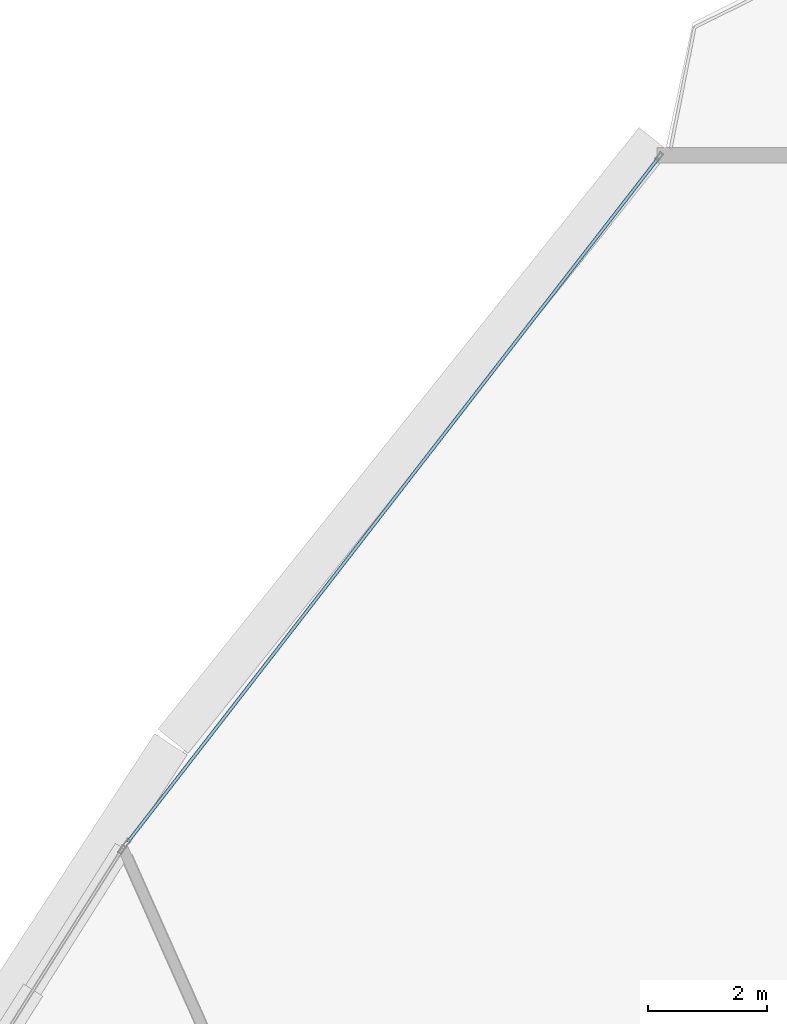
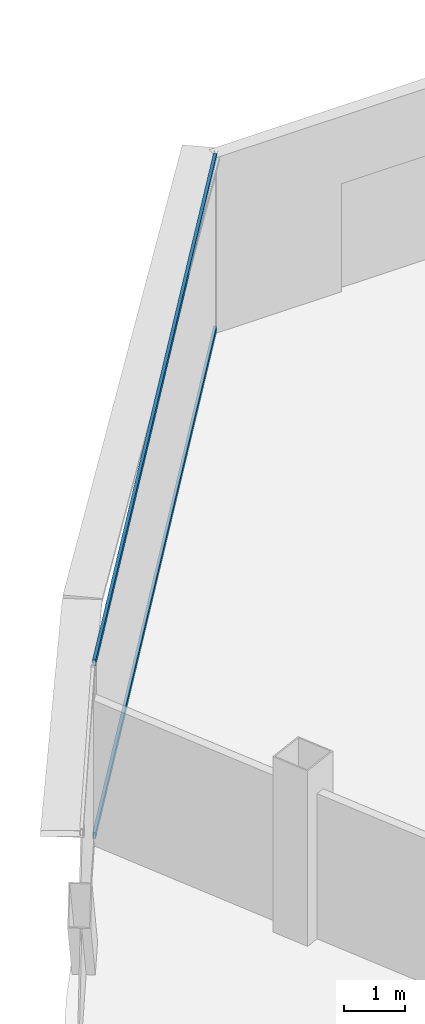
# One storey, part 21 of 33: 2 members, 1 element without a shape of its own.
"""IFC4 building model written with IfcOpenShell, lengths in metres."""

from ifc_helpers import new_model, si_unit, direction, frame, origin, origin_2d, place, context, subcontext, project, spatial, hollow_rectangle, extrude, source, transform, mapped, material, layer, layer_set, material_profile, profile_set, type_object, element, aggregate, save


model = new_model("IFC4")

# Units and contexts
model_context = context("Model", 3, precision=1e-05, world=origin(), true_north=direction((0.0, 1.0)))
body_context = subcontext(model_context, "Body", "Model", "MODEL_VIEW")
ifc_project = project(units=[si_unit("LENGTHUNIT", "METRE"), si_unit("AREAUNIT", "SQUARE_METRE"), si_unit("VOLUMEUNIT", "CUBIC_METRE"), si_unit("PLANEANGLEUNIT", "RADIAN"), si_unit("MASSUNIT", "GRAM", prefix="KILO"), si_unit("THERMODYNAMICTEMPERATUREUNIT", "KELVIN"), si_unit("POWERUNIT", "WATT")], contexts=[model_context])

# Site, building, storey
site_placement = place(None, origin())
site = spatial("IfcSite", under=ifc_project, at=site_placement, CompositionType="ELEMENT")
building_placement = place(site_placement, origin())
building = spatial("IfcBuilding", under=site, at=building_placement, Name="Yunzhuo Pagoda Commons", CompositionType="ELEMENT")
storey_placement = place(building_placement, frame((0.0, 0.0, 325.510009765625)))
storey = spatial("IfcBuildingStorey", under=building, at=storey_placement, Name="L81", CompositionType="ELEMENT", Elevation=325.510009765625)

# Curtain wall, members
ifc_material = material(Name="Anodized aluminium 6063-T6", Category="aluminium")
ifc_layer = layer(ifc_material, 0.139892578125)
ifc_layer_set = layer_set([ifc_layer], Name="Anodized aluminium 6063-T6")
curtain_wall_type = type_object("IfcCurtainWallType", Name="CW-HI High-Zone Ribbon Curtain Wall", PredefinedType="NOTDEFINED", material=ifc_layer_set)
curtain_wall_placement = place(storey_placement, origin())
curtain_wall = element("IfcCurtainWall", 1, at=curtain_wall_placement, inside=storey, type_object=curtain_wall_type, Name="L81 curtain wall CW-L81-F3B1", PredefinedType="NOTDEFINED")
ifc_material_profile = material_profile(ifc_material, hollow_rectangle(XDim=0.054931640625, YDim=0.1201171875, WallThickness=0.00341796875, at=origin_2d()), Name="Anodized aluminium 6063-T6")
ifc_profile_set = profile_set([ifc_material_profile], Name="Anodized aluminium 6063-T6")
member_type = type_object("IfcMemberType", Name="CW-HI-T Transom RHS 120x55x3.5", PredefinedType="USERDEFINED", material=ifc_profile_set)
shared_shape = source(origin(), body_context, "Body", "SweptSolid", [
    extrude(hollow_rectangle(XDim=0.054931640625, YDim=0.1201171875, WallThickness=0.00341796875, at=origin_2d()), origin(), (0.0, 0.0, 1.0), 14.537353515625),
])
member_1_placement = place(storey_placement, frame((44.774658203125, 72.73583984375, 0.027587890625), z_axis=(-0.612918112301, -0.790146434285, 0.0), x_axis=(0.790146434285, -0.612918112301, 0.0)))
member_1 = element("IfcMember", 2, at=member_1_placement, type_object=member_type, Name="CW transom 1.1", ObjectType="TRANSOM", PredefinedType="USERDEFINED", context=body_context, shape_type="MappedRepresentation", body=[
    mapped(shared_shape, transform((0.0, 0.0, 0.0), scale=1.0)),
])
member_2_placement = place(storey_placement, frame((44.774658203125, 72.73583984375, 3.46240234375), z_axis=(-0.612918112301, -0.790146434285, 0.0), x_axis=(0.790146434285, -0.612918112301, 0.0)))
member_2 = element("IfcMember", 3, at=member_2_placement, type_object=member_type, Name="CW transom 1.2", ObjectType="TRANSOM", PredefinedType="USERDEFINED", context=body_context, shape_type="MappedRepresentation", body=[
    mapped(shared_shape, transform((0.0, 0.0, 0.0), scale=1.0)),
])
aggregate(curtain_wall, [member_1, member_2])

save(model, "model.ifc")
